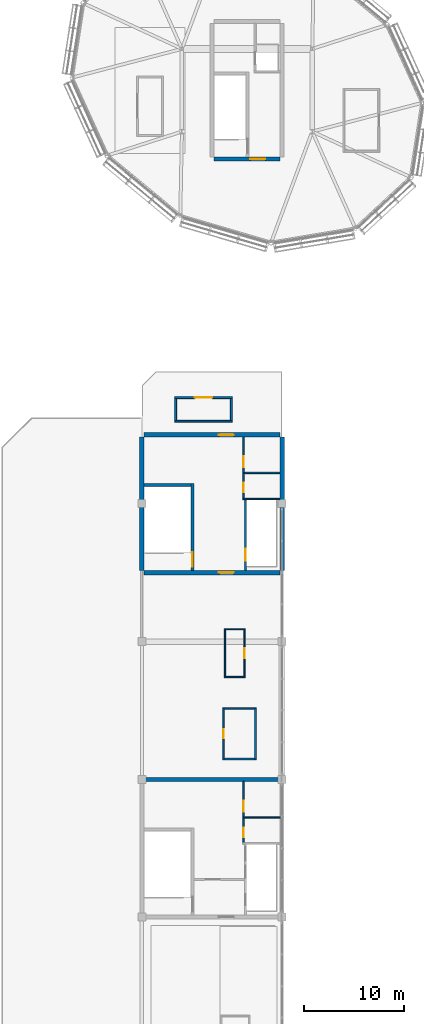
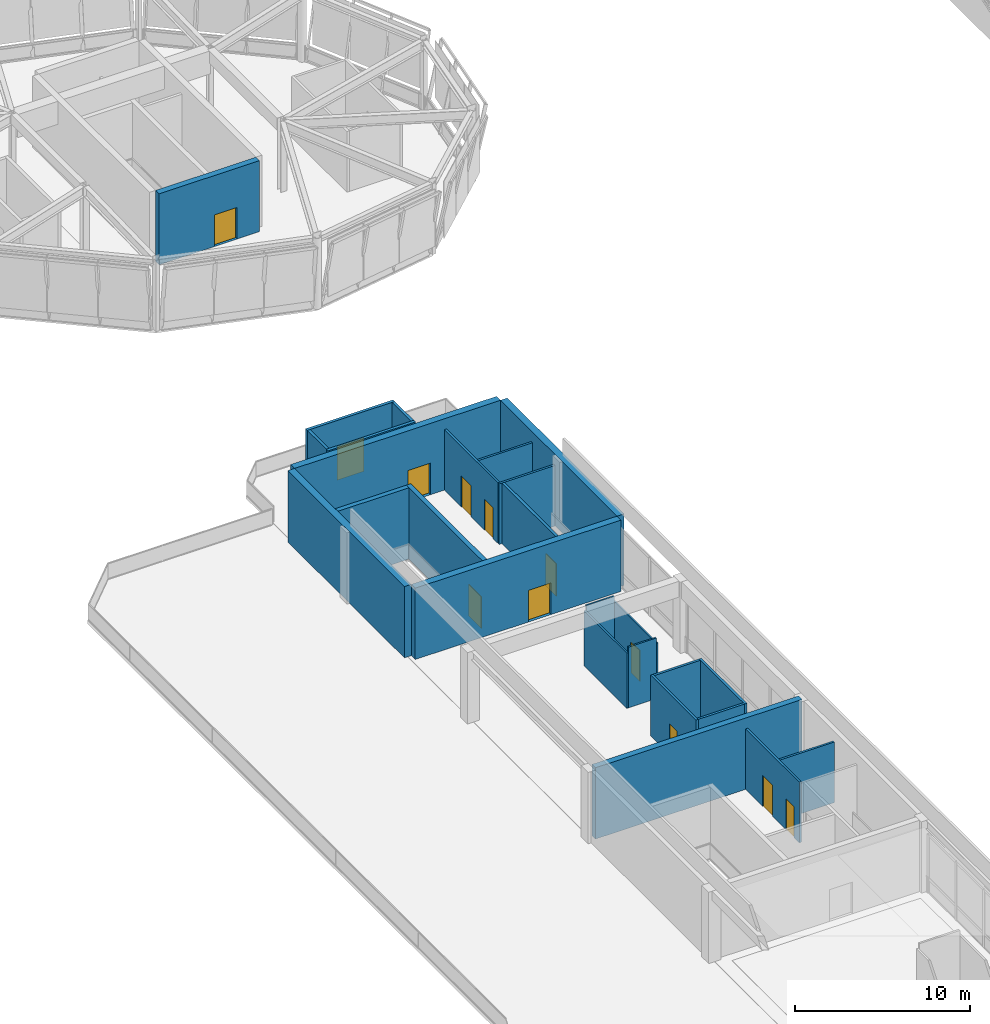
# One storey, part 101 of 113: 26 walls, 12 doors, 12 openings.
"""IFC4 building model written with IfcOpenShell, lengths in metres."""

import ifcopenshell
import ifcopenshell.guid

model = None  # the IFC model being written
_history = None  # IfcOwnerHistory: only IFC2X3 demands one
_inside = {}  # id of a spatial element -> (the spatial element, [elements in it])
_under = {}  # id of a project, library or spatial element -> (it, [spatial elements below it])
_declared = {}  # id of a project -> (the project, [libraries it declares])
_typed = {}  # id of a type object -> (the type object, [elements of that type])
_made_of = {}  # id of a material, layer set ... -> (it, [elements and type objects made of it])


def new_model(schema):
    """Start an empty IFC model of exactly this schema.

    Asked for "IFC4X3", IfcOpenShell would pick the latest addendum, in which some entities
    have other attributes; the version numbers below select the first issue.
    IFC2X3 requires an IfcOwnerHistory on every rooted entity: one is made here for all.
    """
    global model, _history
    if schema == "IFC4X3":
        model = ifcopenshell.file(schema_version=(4, 3, 0, 0))
    else:
        model = ifcopenshell.file(schema=schema)
    _inside.clear()
    _under.clear()
    _declared.clear()
    _typed.clear()
    _made_of.clear()
    _history = None
    if model.schema == "IFC2X3":
        org = make("IfcOrganization", Name="unknown")
        user = make(
            "IfcPersonAndOrganization",
            ThePerson=make("IfcPerson", FamilyName="unknown"),
            TheOrganization=org,
        )
        app = make(
            "IfcApplication",
            ApplicationDeveloper=org,
            Version="unknown",
            ApplicationFullName="unknown",
            ApplicationIdentifier="unknown",
        )
        _history = make(
            "IfcOwnerHistory",
            OwningUser=user,
            OwningApplication=app,
            ChangeAction="ADDED",
            CreationDate=0,
        )
    return model


def make(cls, **values):
    """One entity of the class cls with the attributes given. An attribute that is None is left unset."""
    return model.create_entity(
        cls, **{name: value for name, value in values.items() if value is not None}
    )


def rooted(cls, **values):
    """An entity with a GlobalId (a new one), such as an element, a storey or a relation."""
    return make(cls, GlobalId=ifcopenshell.guid.new(), OwnerHistory=_history, **values)


def si_unit(unit_type, name, prefix=None):
    """IfcSIUnit, for example si_unit("LENGTHUNIT", "METRE", prefix="MILLI")."""
    return make("IfcSIUnit", UnitType=unit_type, Prefix=prefix, Name=name)


def assignment(units):
    """IfcUnitAssignment: the units of a project."""
    return None if units is None else make("IfcUnitAssignment", Units=units)


def point(xyz):
    """IfcCartesianPoint."""
    return None if xyz is None else make("IfcCartesianPoint", Coordinates=xyz)


def direction(xyz):
    """IfcDirection."""
    return None if xyz is None else make("IfcDirection", DirectionRatios=xyz)


def frame(location, z_axis=None, x_axis=None):
    """IfcAxis2Placement3D, a coordinate frame: its origin and axes. An axis left out is left unset."""
    return make(
        "IfcAxis2Placement3D",
        Location=point(location),
        Axis=direction(z_axis),
        RefDirection=direction(x_axis),
    )


def frame_2d(location, x_axis=None):
    """IfcAxis2Placement2D, a coordinate frame in the plane: its origin and x axis."""
    return make(
        "IfcAxis2Placement2D", Location=point(location), RefDirection=direction(x_axis)
    )


def origin():
    """The frame at (0, 0, 0) with its axes left unset."""
    return frame((0.0, 0.0, 0.0))


def place(relative_to, where):
    """IfcLocalPlacement: puts the frame where relative to a parent placement (None: the world)."""
    return make(
        "IfcLocalPlacement", PlacementRelTo=relative_to, RelativePlacement=where
    )


def context(
    kind, dimensions, precision=None, world=None, true_north=None, identifier=None
):
    """IfcGeometricRepresentationContext, for example the 3D "Model" context."""
    return make(
        "IfcGeometricRepresentationContext",
        ContextIdentifier=identifier,
        ContextType=kind,
        CoordinateSpaceDimension=dimensions,
        Precision=precision,
        WorldCoordinateSystem=world,
        TrueNorth=true_north,
    )


def subcontext(parent, identifier, kind, view, scale=None):
    """IfcGeometricRepresentationSubContext, for example "Body" below "Model"."""
    return make(
        "IfcGeometricRepresentationSubContext",
        ContextIdentifier=identifier,
        ContextType=kind,
        ParentContext=parent,
        TargetScale=scale,
        TargetView=view,
    )


def project(units=None, contexts=None):
    """IfcProject with its units and contexts."""
    return rooted(
        "IfcProject",
        Name="project",
        RepresentationContexts=contexts,
        UnitsInContext=assignment(units),
    )


def spatial(cls, under=None, at=None, **own):
    """A site, building, storey or space (cls), placed at a placement, below another one or the project."""
    s = rooted(cls, ObjectPlacement=at, **own)
    if under is not None:
        _under.setdefault(under.id(), (under, []))[1].append(s)
    return s


def profile(cls, at=None, kind="AREA", **sizes):
    """A parametric profile (cls). Its sizes go by their IFC names, for example OverallWidth=200.0."""
    return make(cls, ProfileType=kind, Position=at, **sizes)


def rectangle(**sizes):
    """IfcRectangleProfileDef."""
    return profile("IfcRectangleProfileDef", **sizes)


def extrude(swept, where, along, depth):
    """IfcExtrudedAreaSolid: the profile swept, set in the frame where, extruded along a direction by depth."""
    return make(
        "IfcExtrudedAreaSolid",
        SweptArea=swept,
        Position=where,
        ExtrudedDirection=direction(along),
        Depth=depth,
    )


def shape(context_of_items, identifier, shape_type, items):
    """IfcShapeRepresentation: the items that make up one representation, for example the "Body"."""
    return make(
        "IfcShapeRepresentation",
        ContextOfItems=context_of_items,
        RepresentationIdentifier=identifier,
        RepresentationType=shape_type,
        Items=items,
    )


def material(Name=None, Category=None):
    """IfcMaterial."""
    return make("IfcMaterial", Name=Name, Category=Category)


def layer(
    of_material, thickness, ventilated=None, Name=None, Category=None, Priority=None
):
    """IfcMaterialLayer: one layer of a wall or slab, of a material (None: an air gap)."""
    return make(
        "IfcMaterialLayer",
        Material=of_material,
        LayerThickness=thickness,
        IsVentilated=ventilated,
        Name=Name,
        Category=Category,
        Priority=Priority,
    )


def layer_set(layers, Name=None):
    """IfcMaterialLayerSet."""
    return make("IfcMaterialLayerSet", MaterialLayers=layers, LayerSetName=Name)


def made_of(thing, what):
    """Note that an element or type object is made of a material, layer set ...; save() writes the relation."""
    if what is not None:
        _made_of.setdefault(what.id(), (what, []))[1].append(thing)
    return thing


def type_object(cls, material=None, **own):
    """A type object (cls), such as IfcWallType, which elements share."""
    return made_of(rooted(cls, **own), material)


def element(
    cls,
    number,
    at=None,
    inside=None,
    cuts=None,
    type_object=None,
    material=None,
    context=None,
    identifier="Body",
    shape_type=None,
    held_by="IfcProductDefinitionShape",
    body=None,
    shapes=None,
    **own,
):
    """One element of the class cls, such as IfcWall. Its Tag is "e" and its number.

    at: its placement. inside: the storey or other place that contains it. cuts: it is an
    opening in that element (IfcRelVoidsElement). A single representation is given by context,
    identifier, shape_type and body (its items); several are given by shapes. held_by: the class
    of the entity that holds the representations. save() writes the other relations.
    """
    e = rooted(cls, Tag="e%d" % number, ObjectPlacement=at, **own)
    if body is not None:
        shapes = [shape(context, identifier, shape_type, body)]
    if shapes is not None:
        e.Representation = make(held_by, Representations=shapes)
    if inside is not None:
        _inside.setdefault(inside.id(), (inside, []))[1].append(e)
    if cuts is not None:
        rooted(
            "IfcRelVoidsElement", RelatingBuildingElement=cuts, RelatedOpeningElement=e
        )
    if type_object is not None:
        _typed.setdefault(type_object.id(), (type_object, []))[1].append(e)
    return made_of(e, material)


def fill(opening, filler):
    """IfcRelFillsElement: the door or window that sits in an opening."""
    return rooted(
        "IfcRelFillsElement",
        RelatingOpeningElement=opening,
        RelatedBuildingElement=filler,
    )


def aggregate(whole, parts):
    """IfcRelAggregates: a whole, such as a stair, and the parts it consists of."""
    return rooted("IfcRelAggregates", RelatingObject=whole, RelatedObjects=parts)


def save(model, path):
    """Write the relations noted so far, then the file.

    IfcRelAggregates (storeys below a building ...), IfcRelContainedInSpatialStructure (elements
    in a storey), IfcRelDefinesByType, IfcRelAssociatesMaterial and IfcRelDeclares: one each for
    every whole, place, type object, material and project.
    """
    for whole, parts in _under.values():
        aggregate(whole, parts)
    for where, things in _inside.values():
        rooted(
            "IfcRelContainedInSpatialStructure",
            RelatedElements=things,
            RelatingStructure=where,
        )
    for kind, things in _typed.values():
        rooted("IfcRelDefinesByType", RelatedObjects=things, RelatingType=kind)
    for what, things in _made_of.values():
        rooted("IfcRelAssociatesMaterial", RelatedObjects=things, RelatingMaterial=what)
    for by, libraries in _declared.values():
        rooted("IfcRelDeclares", RelatingContext=by, RelatedDefinitions=libraries)
    model.write(path)


model = new_model("IFC4")

# Units and contexts
model_context = context("Model", 3, precision=1e-05, world=origin(), true_north=direction((0.0, 1.0)))
body_context = subcontext(model_context, "Body", "Model", "MODEL_VIEW")
ifc_project = project(units=[si_unit("LENGTHUNIT", "METRE"), si_unit("AREAUNIT", "SQUARE_METRE"), si_unit("VOLUMEUNIT", "CUBIC_METRE"), si_unit("PLANEANGLEUNIT", "RADIAN"), si_unit("MASSUNIT", "GRAM", prefix="KILO")], contexts=[model_context])

# Site, building, storey
site_placement = place(None, origin())
site = spatial("IfcSite", under=ifc_project, at=site_placement, CompositionType="ELEMENT")
building_placement = place(site_placement, origin())
building = spatial("IfcBuilding", under=site, at=building_placement, Name="Linyun Crest Stadium", CompositionType="ELEMENT")
storey_placement = place(building_placement, frame((0.0, 0.0, 26.39990234375)))
storey = spatial("IfcBuildingStorey", under=building, at=storey_placement, Name="L06", CompositionType="ELEMENT", Elevation=26.39990234375)

# Wall
ifc_material_1 = material(Name="Concrete C50", Category="concrete")
ifc_layer_1 = layer(ifc_material_1, 0.39990234375)
ifc_layer_set_1 = layer_set([ifc_layer_1], Name="Concrete C50")
wall_type_1 = type_object("IfcWallType", Name="CW02", PredefinedType="SHEAR", material=ifc_layer_set_1)
wall_1_placement = place(storey_placement, frame((-83.800048828125, 15.875, 0.0), z_axis=(0.0, 0.0, 1.0), x_axis=(1.0, 0.0, 0.0)))
element("IfcWall", 1, at=wall_1_placement, inside=storey, type_object=wall_type_1, Name="Core shear wall CW02 CORE-W2 L06.4", PredefinedType="SHEAR", context=body_context, shape_type="SweptSolid", body=[
    extrude(rectangle(XDim=13.60009765625, YDim=0.39990234375, at=frame_2d((6.800048828125, 0.0))), origin(), (0.0, 0.0, 1.0), 4.965087890625),
])

# Wall, opening, door
wall_2_placement = place(storey_placement, frame((-76.800048828125, 77.75, 0.0), z_axis=(0.0, 0.0, 1.0), x_axis=(1.0, 0.0, 0.0)))
wall_2 = element("IfcWall", 2, at=wall_2_placement, inside=storey, type_object=wall_type_1, Name="Core shear wall CW02 CORE-PNW L06.3", PredefinedType="SHEAR", context=body_context, shape_type="SweptSolid", body=[
    extrude(rectangle(XDim=6.60009765625, YDim=0.39990234375, at=frame_2d((3.300048828125, 0.0))), origin(), (0.0, 0.0, 1.0), 4.945068359375),
])
opening_1_placement = place(wall_2_placement, frame((3.6298828125, 0.0, 0.0)))
opening_1 = element("IfcOpeningElement", 3, at=opening_1_placement, cuts=wall_2, Name="Opening D-L06-384", PredefinedType="OPENING", context=body_context, shape_type="SweptSolid", body=[
    extrude(rectangle(XDim=1.5, YDim=2.199951171875, at=frame_2d((0.75, 1.10009765625))), frame((0.0, 0.2099609375, 0.0), z_axis=(0.0, -1.0, 0.0), x_axis=(1.0, 0.0, 0.0)), (0.0, 0.0, 1.0), 0.419921875),
])
ifc_material_2 = material(Name="Galvanized steel Class A fire door", Category="steel")
ifc_layer_2 = layer(ifc_material_2, 0.054931640625)
ifc_layer_set_2 = layer_set([ifc_layer_2], Name="Galvanized steel Class A fire door")
door_type_1 = type_object("IfcDoorType", Name="FD01", OperationType="NOTDEFINED", PredefinedType="DOOR", material=ifc_layer_set_2)
door_1_placement = place(opening_1_placement, origin())
door_1 = element("IfcDoor", 4, at=door_1_placement, inside=storey, type_object=door_type_1, Name="Door D-L06-384", OperationType="SINGLE_SWING_RIGHT", OverallHeight=2.199951171875, OverallWidth=1.5, PredefinedType="DOOR", context=body_context, shape_type="SweptSolid", body=[
    extrude(rectangle(XDim=1.5, YDim=2.199951171875, at=frame_2d((0.75, 1.10009765625))), frame((0.0, 0.02490234375, 0.0), z_axis=(0.0, -1.0, 0.0), x_axis=(1.0, 0.0, 0.0)), (0.0, 0.0, 1.0), 0.050048828125),
])
fill(opening_1, door_1)

# Walls
ifc_material_3 = material(Name="Concrete C50", Category="concrete")
ifc_layer_3 = layer(ifc_material_3, 0.449951171875)
ifc_layer_set_3 = layer_set([ifc_layer_3], Name="Concrete C50")
wall_type_2 = type_object("IfcWallType", Name="CW03", PredefinedType="SHEAR", material=ifc_layer_set_3)
for number, where, z_axis, x_axis, name in (
    (5, (-84.0, 36.72509765625, 0.0), (0.0, 0.0, 1.0), (0.0, 1.0, 0.0), "Core shear wall CW03 CORE-W3 L06.1"),
    (6, (-70.0, 36.72509765625, 0.0), (0.0, 0.0, 1.0), (0.0, 1.0, 0.0), "Core shear wall CW03 CORE-W3 L06.2"),
):
    element("IfcWall", number, at=place(storey_placement, frame(where, z_axis=z_axis, x_axis=x_axis)), inside=storey, type_object=wall_type_2, Name=name, PredefinedType="SHEAR", context=body_context, shape_type="SweptSolid", body=[
        extrude(rectangle(XDim=13.2998046875, YDim=0.449951171875, at=frame_2d((6.64990234375, 0.0))), origin(), (0.0, 0.0, 1.0), 4.965087890625),
    ])

# Wall, opening, door
wall_3_placement = place(storey_placement, frame((-83.77490234375, 36.5, 0.0), z_axis=(0.0, 0.0, 1.0), x_axis=(1.0, 0.0, 0.0)))
wall_3 = element("IfcWall", 7, at=wall_3_placement, inside=storey, type_object=wall_type_2, Name="Core shear wall CW03 CORE-W3 L06.3", PredefinedType="SHEAR", context=body_context, shape_type="SweptSolid", body=[
    extrude(rectangle(XDim=13.5498046875, YDim=0.449951171875, at=frame_2d((6.77490234375, 0.0))), origin(), (0.0, 0.0, 1.0), 4.965087890625),
])
opening_2_placement = place(wall_3_placement, frame((7.452880859375, 0.0, 0.0)))
opening_2 = element("IfcOpeningElement", 8, at=opening_2_placement, cuts=wall_3, Name="Opening D-L06-142", PredefinedType="OPENING", context=body_context, shape_type="SweptSolid", body=[
    extrude(rectangle(XDim=1.5, YDim=2.199951171875, at=frame_2d((0.75, 1.10009765625))), frame((0.0, 0.23486328125, 0.0), z_axis=(0.0, -1.0, 0.0), x_axis=(1.0, 0.0, 0.0)), (0.0, 0.0, 1.0), 0.469970703125),
])
door_2_placement = place(opening_2_placement, origin())
door_2 = element("IfcDoor", 9, at=door_2_placement, inside=storey, type_object=door_type_1, Name="Door D-L06-142", OperationType="SINGLE_SWING_RIGHT", OverallHeight=2.199951171875, OverallWidth=1.5, PredefinedType="DOOR", context=body_context, shape_type="SweptSolid", body=[
    extrude(rectangle(XDim=1.5, YDim=2.199951171875, at=frame_2d((0.75, 1.10009765625))), frame((0.0, 0.02490234375, 0.0), z_axis=(0.0, -1.0, 0.0), x_axis=(1.0, 0.0, 0.0)), (0.0, 0.0, 1.0), 0.050048828125),
])
fill(opening_2, door_2)

wall_4_placement = place(storey_placement, frame((-83.77490234375, 50.25, 0.0), z_axis=(0.0, 0.0, 1.0), x_axis=(1.0, 0.0, 0.0)))
wall_4 = element("IfcWall", 10, at=wall_4_placement, inside=storey, type_object=wall_type_2, Name="Core shear wall CW03 CORE-W3 L06.4", PredefinedType="SHEAR", context=body_context, shape_type="SweptSolid", body=[
    extrude(rectangle(XDim=13.5498046875, YDim=0.449951171875, at=frame_2d((6.77490234375, 0.0))), origin(), (0.0, 0.0, 1.0), 4.965087890625),
])
opening_3_placement = place(wall_4_placement, frame((7.452880859375, 0.0, 0.0)))
opening_3 = element("IfcOpeningElement", 11, at=opening_3_placement, cuts=wall_4, Name="Opening D-L06-143", PredefinedType="OPENING", context=body_context, shape_type="SweptSolid", body=[
    extrude(rectangle(XDim=1.5, YDim=2.199951171875, at=frame_2d((0.75, 1.10009765625))), frame((0.0, 0.23486328125, 0.0), z_axis=(0.0, -1.0, 0.0), x_axis=(1.0, 0.0, 0.0)), (0.0, 0.0, 1.0), 0.469970703125),
])
door_3_placement = place(opening_3_placement, origin())
door_3 = element("IfcDoor", 12, at=door_3_placement, inside=storey, type_object=door_type_1, Name="Door D-L06-143", OperationType="SINGLE_SWING_LEFT", OverallHeight=2.199951171875, OverallWidth=1.5, PredefinedType="DOOR", context=body_context, shape_type="SweptSolid", body=[
    extrude(rectangle(XDim=1.5, YDim=2.199951171875, at=frame_2d((0.75, 1.10009765625))), frame((0.0, 0.02490234375, 0.0), z_axis=(0.0, -1.0, 0.0), x_axis=(1.0, 0.0, 0.0)), (0.0, 0.0, 1.0), 0.050048828125),
])
fill(opening_3, door_3)

ifc_material_4 = material(Name="Autoclaved aerated concrete block fire partition", Category="concrete")
ifc_layer_4 = layer(ifc_material_4, 0.179931640625)
ifc_layer_set_4 = layer_set([ifc_layer_4], Name="Autoclaved aerated concrete block fire partition")
wall_type_3 = type_object("IfcWallType", Name="PW12", PredefinedType="PARTITIONING", material=ifc_layer_set_4)
wall_5_placement = place(storey_placement, frame((-73.64990234375, 36.72509765625, 0.0), z_axis=(0.0, 0.0, 1.0), x_axis=(0.0, 1.0, 0.0)))
wall_5 = element("IfcWall", 13, at=wall_5_placement, inside=storey, type_object=wall_type_3, Name="Partition PW12 L06 55", PredefinedType="PARTITIONING", context=body_context, shape_type="SweptSolid", body=[
    extrude(rectangle(XDim=7.054931640625, YDim=0.179931640625, at=frame_2d((3.52734375, 0.0))), origin(), (0.0, 0.0, 1.0), 4.22021484375),
])
opening_4_placement = place(wall_5_placement, frame((0.97509765625, 0.0, 0.0)))
opening_4 = element("IfcOpeningElement", 14, at=opening_4_placement, cuts=wall_5, Name="Opening LD048", PredefinedType="OPENING", context=body_context, shape_type="SweptSolid", body=[
    extrude(rectangle(XDim=1.199951171875, YDim=2.25, at=frame_2d((0.60009765625, 1.125))), frame((0.0, 0.099853515625, 0.0), z_axis=(0.0, -1.0, 0.0), x_axis=(1.0, 0.0, 0.0)), (0.0, 0.0, 1.0), 0.199951171875),
])
ifc_material_5 = material(Name="Brushed stainless sliding lift door")
ifc_layer_5 = layer(ifc_material_5, 0.050048828125)
ifc_layer_set_5 = layer_set([ifc_layer_5], Name="Brushed stainless sliding lift door")
door_type_2 = type_object("IfcDoorType", Name="LD02", OperationType="NOTDEFINED", PredefinedType="DOOR", material=ifc_layer_set_5)
door_4_placement = place(opening_4_placement, origin())
door_4 = element("IfcDoor", 15, at=door_4_placement, inside=storey, type_object=door_type_2, Name="Lift landing door LD048", OperationType="DOUBLE_DOOR_SLIDING", OverallHeight=2.25, OverallWidth=1.199951171875, PredefinedType="DOOR", context=body_context, shape_type="SweptSolid", body=[
    extrude(rectangle(XDim=1.199951171875, YDim=2.25, at=frame_2d((0.60009765625, 1.125))), frame((0.0, 0.02490234375, 0.0), z_axis=(0.0, -1.0, 0.0), x_axis=(1.0, 0.0, 0.0)), (0.0, 0.0, 1.0), 0.050048828125),
])
fill(opening_4, door_4)

# Wall, openings, doors
ifc_material_6 = material(Name="Moisture-resistant ceramic-tiled wet-room wall")
ifc_layer_6 = layer(ifc_material_6, 0.139892578125)
ifc_layer_set_6 = layer_set([ifc_layer_6], Name="Moisture-resistant ceramic-tiled wet-room wall")
wall_type_4 = type_object("IfcWallType", Name="PW15", PredefinedType="PARTITIONING", material=ifc_layer_set_6)
wall_6_placement = place(storey_placement, frame((-73.85009765625, 9.544921875, 0.0), z_axis=(0.0, 0.0, 1.0), x_axis=(0.0, 1.0, 0.0)))
wall_6 = element("IfcWall", 16, at=wall_6_placement, inside=storey, type_object=wall_type_4, Name="Partition PW15 L06 42", PredefinedType="PARTITIONING", context=body_context, shape_type="SweptSolid", body=[
    extrude(rectangle(XDim=6.130126953125, YDim=0.139892578125, at=frame_2d((3.06494140625, 0.0))), origin(), (0.0, 0.0, 1.0), 4.22021484375),
])
opening_5_placement = place(wall_6_placement, frame((0.580078125, 0.0, 0.0)))
opening_5 = element("IfcOpeningElement", 17, at=opening_5_placement, cuts=wall_6, Name="Opening D-L06-104", PredefinedType="OPENING", context=body_context, shape_type="SweptSolid", body=[
    extrude(rectangle(XDim=0.949951171875, YDim=2.14990234375, at=frame_2d((0.47509765625, 1.074951171875))), frame((0.0, 0.079833984375, 0.0), z_axis=(0.0, -1.0, 0.0), x_axis=(1.0, 0.0, 0.0)), (0.0, 0.0, 1.0), 0.159912109375),
])
opening_6_placement = place(wall_6_placement, frame((3.080078125, 0.0, 0.0)))
opening_6 = element("IfcOpeningElement", 18, at=opening_6_placement, cuts=wall_6, Name="Opening D-L06-105", PredefinedType="OPENING", context=body_context, shape_type="SweptSolid", body=[
    extrude(rectangle(XDim=1.10009765625, YDim=2.14990234375, at=frame_2d((0.550048828125, 1.074951171875))), frame((0.0, 0.079833984375, 0.0), z_axis=(0.0, -1.0, 0.0), x_axis=(1.0, 0.0, 0.0)), (0.0, 0.0, 1.0), 0.159912109375),
])
ifc_material_7 = material(Name="Moisture-resistant laminate leaf")
ifc_layer_7 = layer(ifc_material_7, 0.044921875)
ifc_layer_set_7 = layer_set([ifc_layer_7], Name="Moisture-resistant laminate leaf")
door_type_3 = type_object("IfcDoorType", Name="ID02", OperationType="NOTDEFINED", PredefinedType="DOOR", material=ifc_layer_set_7)
door_5_placement = place(opening_5_placement, origin())
door_5 = element("IfcDoor", 19, at=door_5_placement, inside=storey, type_object=door_type_3, Name="Door D-L06-104", OperationType="SINGLE_SWING_RIGHT", OverallHeight=2.14990234375, OverallWidth=0.949951171875, PredefinedType="DOOR", context=body_context, shape_type="SweptSolid", body=[
    extrude(rectangle(XDim=0.949951171875, YDim=2.14990234375, at=frame_2d((0.47509765625, 1.074951171875))), frame((0.0, 0.02490234375, 0.0), z_axis=(0.0, -1.0, 0.0), x_axis=(1.0, 0.0, 0.0)), (0.0, 0.0, 1.0), 0.050048828125),
])
fill(opening_5, door_5)
ifc_material_8 = material(Name="Moisture-resistant laminate leaf")
ifc_layer_8 = layer(ifc_material_8, 0.044921875)
ifc_layer_set_8 = layer_set([ifc_layer_8], Name="Moisture-resistant laminate leaf")
door_type_4 = type_object("IfcDoorType", Name="ID03", OperationType="NOTDEFINED", PredefinedType="DOOR", material=ifc_layer_set_8)
door_6_placement = place(opening_6_placement, origin())
door_6 = element("IfcDoor", 20, at=door_6_placement, inside=storey, type_object=door_type_4, Name="Door D-L06-105", OperationType="SINGLE_SWING_LEFT", OverallHeight=2.14990234375, OverallWidth=1.10009765625, PredefinedType="DOOR", context=body_context, shape_type="SweptSolid", body=[
    extrude(rectangle(XDim=1.10009765625, YDim=2.14990234375, at=frame_2d((0.550048828125, 1.074951171875))), frame((0.0, 0.02490234375, 0.0), z_axis=(0.0, -1.0, 0.0), x_axis=(1.0, 0.0, 0.0)), (0.0, 0.0, 1.0), 0.050048828125),
])
fill(opening_6, door_6)

wall_7_placement = place(storey_placement, frame((-73.85009765625, 43.919921875, 0.0), z_axis=(0.0, 0.0, 1.0), x_axis=(0.0, 1.0, 0.0)))
wall_7 = element("IfcWall", 21, at=wall_7_placement, inside=storey, type_object=wall_type_4, Name="Partition PW15 L06 56", PredefinedType="PARTITIONING", context=body_context, shape_type="SweptSolid", body=[
    extrude(rectangle(XDim=6.10498046875, YDim=0.139892578125, at=frame_2d((3.052490234375, 0.0))), origin(), (0.0, 0.0, 1.0), 4.22021484375),
])
opening_7_placement = place(wall_7_placement, frame((0.580078125, 0.0, 0.0)))
opening_7 = element("IfcOpeningElement", 22, at=opening_7_placement, cuts=wall_7, Name="Opening D-L06-146", PredefinedType="OPENING", context=body_context, shape_type="SweptSolid", body=[
    extrude(rectangle(XDim=0.949951171875, YDim=2.14990234375, at=frame_2d((0.47509765625, 1.074951171875))), frame((0.0, 0.079833984375, 0.0), z_axis=(0.0, -1.0, 0.0), x_axis=(1.0, 0.0, 0.0)), (0.0, 0.0, 1.0), 0.159912109375),
])
opening_8_placement = place(wall_7_placement, frame((3.080078125, 0.0, 0.0)))
opening_8 = element("IfcOpeningElement", 23, at=opening_8_placement, cuts=wall_7, Name="Opening D-L06-147", PredefinedType="OPENING", context=body_context, shape_type="SweptSolid", body=[
    extrude(rectangle(XDim=1.10009765625, YDim=2.14990234375, at=frame_2d((0.550048828125, 1.074951171875))), frame((0.0, 0.079833984375, 0.0), z_axis=(0.0, -1.0, 0.0), x_axis=(1.0, 0.0, 0.0)), (0.0, 0.0, 1.0), 0.159912109375),
])
door_7_placement = place(opening_7_placement, origin())
door_7 = element("IfcDoor", 24, at=door_7_placement, inside=storey, type_object=door_type_3, Name="Door D-L06-146", OperationType="SINGLE_SWING_RIGHT", OverallHeight=2.14990234375, OverallWidth=0.949951171875, PredefinedType="DOOR", context=body_context, shape_type="SweptSolid", body=[
    extrude(rectangle(XDim=0.949951171875, YDim=2.14990234375, at=frame_2d((0.47509765625, 1.074951171875))), frame((0.0, 0.02490234375, 0.0), z_axis=(0.0, -1.0, 0.0), x_axis=(1.0, 0.0, 0.0)), (0.0, 0.0, 1.0), 0.050048828125),
])
fill(opening_7, door_7)
door_8_placement = place(opening_8_placement, origin())
door_8 = element("IfcDoor", 25, at=door_8_placement, inside=storey, type_object=door_type_4, Name="Door D-L06-147", OperationType="SINGLE_SWING_LEFT", OverallHeight=2.14990234375, OverallWidth=1.10009765625, PredefinedType="DOOR", context=body_context, shape_type="SweptSolid", body=[
    extrude(rectangle(XDim=1.10009765625, YDim=2.14990234375, at=frame_2d((0.550048828125, 1.074951171875))), frame((0.0, 0.02490234375, 0.0), z_axis=(0.0, -1.0, 0.0), x_axis=(1.0, 0.0, 0.0)), (0.0, 0.0, 1.0), 0.050048828125),
])
fill(opening_8, door_8)

# Walls
wall_8_placement = place(storey_placement, frame((-73.780029296875, 12.074951171875, 0.0), z_axis=(0.0, 0.0, 1.0), x_axis=(1.0, 0.0, 0.0)))
element("IfcWall", 26, at=wall_8_placement, inside=storey, type_object=wall_type_4, Name="Enclosure partition PW15 L06 28", PredefinedType="PARTITIONING", context=body_context, shape_type="SweptSolid", body=[
    extrude(rectangle(XDim=3.580078125, YDim=0.139892578125, at=frame_2d((1.7900390625, 0.0))), origin(), (0.0, 0.0, 1.0), 4.22021484375),
])
wall_9_placement = place(storey_placement, frame((-73.919921875, 43.85009765625, 0.0), z_axis=(0.0, 0.0, 1.0), x_axis=(1.0, 0.0, 0.0)))
element("IfcWall", 27, at=wall_9_placement, inside=storey, type_object=wall_type_4, Name="Enclosure partition PW15 L06 41", PredefinedType="PARTITIONING", context=body_context, shape_type="SweptSolid", body=[
    extrude(rectangle(XDim=3.69482421875, YDim=0.139892578125, at=frame_2d((1.847412109375, 0.0))), origin(), (0.0, 0.0, 1.0), 4.22021484375),
])
wall_10_placement = place(storey_placement, frame((-73.780029296875, 46.449951171875, 0.0), z_axis=(0.0, 0.0, 1.0), x_axis=(1.0, 0.0, 0.0)))
element("IfcWall", 28, at=wall_10_placement, inside=storey, type_object=wall_type_4, Name="Enclosure partition PW15 L06 42", PredefinedType="PARTITIONING", context=body_context, shape_type="SweptSolid", body=[
    extrude(rectangle(XDim=3.554931640625, YDim=0.139892578125, at=frame_2d((1.77734375, 0.0))), origin(), (0.0, 0.0, 1.0), 4.22021484375),
])

# Wall, opening, door
ifc_material_9 = material(Name="Lightweight demountable office partition")
ifc_layer_9 = layer(ifc_material_9, 0.110107421875)
ifc_layer_set_9 = layer_set([ifc_layer_9], Name="Lightweight demountable office partition")
wall_type_5 = type_object("IfcWallType", Name="PW18", PredefinedType="PARTITIONING", material=ifc_layer_set_9)
wall_11_placement = place(storey_placement, frame((-73.760986328125, 30.925048828125, 0.0), z_axis=(0.0, 0.0, 1.0), x_axis=(0.0, -1.0, 0.0)))
wall_11 = element("IfcWall", 29, at=wall_11_placement, inside=storey, type_object=wall_type_5, Name="Partition PW18 L06 249", PredefinedType="PARTITIONING", context=body_context, shape_type="SweptSolid", body=[
    extrude(rectangle(XDim=4.89013671875, YDim=0.110107421875, at=frame_2d((2.445068359375, 0.0))), origin(), (0.0, 0.0, 1.0), 3.840087890625),
])
opening_9_placement = place(wall_11_placement, frame((1.945068359375, 0.0, 0.0)))
opening_9 = element("IfcOpeningElement", 30, at=opening_9_placement, cuts=wall_11, Name="Opening D-L06-512", PredefinedType="OPENING", context=body_context, shape_type="SweptSolid", body=[
    extrude(rectangle(XDim=1.0, YDim=2.14990234375, at=frame_2d((0.5, 1.074951171875))), frame((0.0, 0.06494140625, 0.0), z_axis=(0.0, -1.0, 0.0), x_axis=(1.0, 0.0, 0.0)), (0.0, 0.0, 1.0), 0.130126953125),
])
ifc_material_10 = material(Name="Hardwood veneer acoustic leaf", Category="wood")
ifc_layer_10 = layer(ifc_material_10, 0.044921875)
ifc_layer_set_10 = layer_set([ifc_layer_10], Name="Hardwood veneer acoustic leaf")
door_type_5 = type_object("IfcDoorType", Name="ID01", OperationType="NOTDEFINED", PredefinedType="DOOR", material=ifc_layer_set_10)
door_9_placement = place(opening_9_placement, origin())
door_9 = element("IfcDoor", 31, at=door_9_placement, inside=storey, type_object=door_type_5, Name="Door D-L06-512", OperationType="SINGLE_SWING_RIGHT", OverallHeight=2.14990234375, OverallWidth=1.0, PredefinedType="DOOR", context=body_context, shape_type="SweptSolid", body=[
    extrude(rectangle(XDim=1.0, YDim=2.14990234375, at=frame_2d((0.5, 1.074951171875))), frame((0.0, 0.02490234375, 0.0), z_axis=(0.0, -1.0, 0.0), x_axis=(1.0, 0.0, 0.0)), (0.0, 0.0, 1.0), 0.050048828125),
])
fill(opening_9, door_9)

# Walls
wall_12_placement = place(storey_placement, frame((-75.700927734375, 26.034912109375, 0.0), z_axis=(0.0, 0.0, 1.0), x_axis=(0.0, 1.0, 0.0)))
element("IfcWall", 32, at=wall_12_placement, inside=storey, type_object=wall_type_5, Name="Enclosure partition PW18 L06 463", PredefinedType="PARTITIONING", context=body_context, shape_type="SweptSolid", body=[
    extrude(rectangle(XDim=4.89013671875, YDim=0.110107421875, at=frame_2d((2.445068359375, 0.0))), origin(), (0.0, 0.0, 1.0), 3.840087890625),
])
for number, where, z_axis, x_axis, name in (
    (33, (-75.64599609375, 26.090087890625, 0.0), (0.0, 0.0, 1.0), (1.0, 0.0, 0.0), "Enclosure partition PW18 L06 464"),
    (34, (-75.64599609375, 30.8701171875, 0.0), (0.0, 0.0, 1.0), (1.0, 0.0, 0.0), "Enclosure partition PW18 L06 465"),
):
    element("IfcWall", number, at=place(storey_placement, frame(where, z_axis=z_axis, x_axis=x_axis)), inside=storey, type_object=wall_type_5, Name=name, PredefinedType="PARTITIONING", context=body_context, shape_type="SweptSolid", body=[
        extrude(rectangle(XDim=1.830078125, YDim=0.110107421875, at=frame_2d((0.9150390625, 0.0))), origin(), (0.0, 0.0, 1.0), 4.22021484375),
    ])

# Wall, opening, door
ifc_material_11 = material(Name="Medical and doping-control hygienic partition")
ifc_layer_11 = layer(ifc_material_11, 0.155029296875)
ifc_layer_set_11 = layer_set([ifc_layer_11], Name="Medical and doping-control hygienic partition")
wall_type_6 = type_object("IfcWallType", Name="PW23", PredefinedType="PARTITIONING", material=ifc_layer_set_11)
wall_13_placement = place(storey_placement, frame((-75.861083984375, 17.833984375, 0.0), z_axis=(0.0, 0.0, 1.0), x_axis=(0.0, 1.0, 0.0)))
wall_13 = element("IfcWall", 35, at=wall_13_placement, inside=storey, type_object=wall_type_6, Name="Partition PW23 L06 241", PredefinedType="PARTITIONING", context=body_context, shape_type="SweptSolid", body=[
    extrude(rectangle(XDim=5.179931640625, YDim=0.155029296875, at=frame_2d((2.58984375, 0.0))), origin(), (0.0, 0.0, 1.0), 4.22021484375),
])
opening_10_placement = place(wall_13_placement, frame((2.139892578125, 0.0, 0.0)))
opening_10 = element("IfcOpeningElement", 36, at=opening_10_placement, cuts=wall_13, Name="Opening D-L06-504", PredefinedType="OPENING", context=body_context, shape_type="SweptSolid", body=[
    extrude(rectangle(XDim=0.89990234375, YDim=2.14990234375, at=frame_2d((0.449951171875, 1.074951171875))), frame((0.0, 0.08740234375, 0.0), z_axis=(0.0, -1.0, 0.0), x_axis=(1.0, 0.0, 0.0)), (0.0, 0.0, 1.0), 0.175048828125),
])
ifc_material_12 = material(Name="Acoustic glazed booth door")
ifc_layer_12 = layer(ifc_material_12, 0.050048828125)
ifc_layer_set_12 = layer_set([ifc_layer_12], Name="Acoustic glazed booth door")
door_type_6 = type_object("IfcDoorType", Name="ID11", OperationType="NOTDEFINED", PredefinedType="DOOR", material=ifc_layer_set_12)
door_10_placement = place(opening_10_placement, origin())
door_10 = element("IfcDoor", 37, at=door_10_placement, inside=storey, type_object=door_type_6, Name="Door D-L06-504", OperationType="SINGLE_SWING_RIGHT", OverallHeight=2.14990234375, OverallWidth=0.89990234375, PredefinedType="DOOR", context=body_context, shape_type="SweptSolid", body=[
    extrude(rectangle(XDim=0.89990234375, YDim=2.14990234375, at=frame_2d((0.449951171875, 1.074951171875))), frame((0.0, 0.02490234375, 0.0), z_axis=(0.0, -1.0, 0.0), x_axis=(1.0, 0.0, 0.0)), (0.0, 0.0, 1.0), 0.050048828125),
])
fill(opening_10, door_10)

# Walls
wall_14_placement = place(storey_placement, frame((-72.660888671875, 17.833984375, 0.0), z_axis=(0.0, 0.0, 1.0), x_axis=(0.0, 1.0, 0.0)))
element("IfcWall", 38, at=wall_14_placement, inside=storey, type_object=wall_type_6, Name="Enclosure partition PW23 L06 439", PredefinedType="PARTITIONING", context=body_context, shape_type="SweptSolid", body=[
    extrude(rectangle(XDim=5.179931640625, YDim=0.155029296875, at=frame_2d((2.58984375, 0.0))), origin(), (0.0, 0.0, 1.0), 4.22021484375),
])
for number, where, z_axis, x_axis, name in (
    (39, (-75.782958984375, 17.912109375, 0.0), (0.0, 0.0, 1.0), (1.0, 0.0, 0.0), "Enclosure partition PW23 L06 440"),
    (40, (-75.782958984375, 22.93603515625, 0.0), (0.0, 0.0, 1.0), (1.0, 0.0, 0.0), "Enclosure partition PW23 L06 441"),
):
    element("IfcWall", number, at=place(storey_placement, frame(where, z_axis=z_axis, x_axis=x_axis)), inside=storey, type_object=wall_type_6, Name=name, PredefinedType="PARTITIONING", context=body_context, shape_type="SweptSolid", body=[
        extrude(rectangle(XDim=3.0439453125, YDim=0.155029296875, at=frame_2d((1.52197265625, 0.0))), origin(), (0.0, 0.0, 1.0), 4.22021484375),
    ])

# Wall, opening, door
ifc_material_13 = material(Name="Ticketing hall security partition")
ifc_layer_13 = layer(ifc_material_13, 0.18994140625)
ifc_layer_set_13 = layer_set([ifc_layer_13], Name="Ticketing hall security partition")
wall_type_7 = type_object("IfcWallType", Name="PW25", PredefinedType="PARTITIONING", material=ifc_layer_set_13)
wall_15_placement = place(storey_placement, frame((-80.72607421875, 53.952880859375, 0.0), z_axis=(0.0, 0.0, 1.0), x_axis=(1.0, 0.0, 0.0)))
wall_15 = element("IfcWall", 41, at=wall_15_placement, inside=storey, type_object=wall_type_7, Name="Partition PW25 L06 243", PredefinedType="PARTITIONING", context=body_context, shape_type="SweptSolid", body=[
    extrude(rectangle(XDim=5.760009765625, YDim=0.18994140625, at=frame_2d((2.8798828125, 0.0))), origin(), (0.0, 0.0, 1.0), 4.22021484375),
])
opening_11_placement = place(wall_15_placement, frame((2.0048828125, 0.0, 0.0)))
opening_11 = element("IfcOpeningElement", 42, at=opening_11_placement, cuts=wall_15, Name="Opening D-L06-506", PredefinedType="OPENING", context=body_context, shape_type="SweptSolid", body=[
    extrude(rectangle(XDim=1.75, YDim=2.35009765625, at=frame_2d((0.875, 1.175048828125))), frame((0.0, 0.10498046875, 0.0), z_axis=(0.0, -1.0, 0.0), x_axis=(1.0, 0.0, 0.0)), (0.0, 0.0, 1.0), 0.2099609375),
])
ifc_material_14 = material(Name="Art Nouveau brass-inlaid double door")
ifc_layer_14 = layer(ifc_material_14, 0.054931640625)
ifc_layer_set_14 = layer_set([ifc_layer_14], Name="Art Nouveau brass-inlaid double door")
door_type_7 = type_object("IfcDoorType", Name="ID13", OperationType="NOTDEFINED", PredefinedType="DOOR", material=ifc_layer_set_14)
door_11_placement = place(opening_11_placement, origin())
door_11 = element("IfcDoor", 43, at=door_11_placement, inside=storey, type_object=door_type_7, Name="Door D-L06-506", OperationType="DOUBLE_DOOR_SINGLE_SWING", OverallHeight=2.35009765625, OverallWidth=1.75, PredefinedType="DOOR", context=body_context, shape_type="SweptSolid", body=[
    extrude(rectangle(XDim=1.75, YDim=2.35009765625, at=frame_2d((0.875, 1.175048828125))), frame((0.0, 0.02490234375, 0.0), z_axis=(0.0, -1.0, 0.0), x_axis=(1.0, 0.0, 0.0)), (0.0, 0.0, 1.0), 0.050048828125),
])
fill(opening_11, door_11)

# Walls
wall_16_placement = place(storey_placement, frame((-80.72607421875, 51.60302734375, 0.0), z_axis=(0.0, 0.0, 1.0), x_axis=(1.0, 0.0, 0.0)))
element("IfcWall", 44, at=wall_16_placement, inside=storey, type_object=wall_type_7, Name="Enclosure partition PW25 L06 445", PredefinedType="PARTITIONING", context=body_context, shape_type="SweptSolid", body=[
    extrude(rectangle(XDim=5.760009765625, YDim=0.18994140625, at=frame_2d((2.8798828125, 0.0))), origin(), (0.0, 0.0, 1.0), 4.22021484375),
])
for number, where, z_axis, x_axis, name in (
    (45, (-80.631103515625, 51.697998046875, 0.0), (0.0, 0.0, 1.0), (0.0, 1.0, 0.0), "Enclosure partition PW25 L06 446"),
    (46, (-75.06103515625, 51.697998046875, 0.0), (0.0, 0.0, 1.0), (0.0, 1.0, 0.0), "Enclosure partition PW25 L06 447"),
):
    element("IfcWall", number, at=place(storey_placement, frame(where, z_axis=z_axis, x_axis=x_axis)), inside=storey, type_object=wall_type_7, Name=name, PredefinedType="PARTITIONING", context=body_context, shape_type="SweptSolid", body=[
        extrude(rectangle(XDim=2.159912109375, YDim=0.18994140625, at=frame_2d((1.080078125, 0.0))), origin(), (0.0, 0.0, 1.0), 4.22021484375),
    ])

# Wall, opening, door
ifc_material_15 = material(Name="Concrete C50", Category="concrete")
ifc_layer_15 = layer(ifc_material_15, 0.300048828125)
ifc_layer_set_15 = layer_set([ifc_layer_15], Name="Concrete C50")
wall_type_8 = type_object("IfcWallType", Name="SW01", PredefinedType="SHEAR", material=ifc_layer_set_15)
wall_17_placement = place(storey_placement, frame((-78.949951171875, 36.72509765625, 0.0), z_axis=(0.0, 0.0, 1.0), x_axis=(0.0, 1.0, 0.0)))
wall_17 = element("IfcWall", 47, at=wall_17_placement, inside=storey, type_object=wall_type_8, Name="Core stair east bearing wall SW01 3 L06", PredefinedType="SHEAR", context=body_context, shape_type="SweptSolid", body=[
    extrude(rectangle(XDim=8.6748046875, YDim=0.300048828125, at=frame_2d((4.33740234375, 0.0))), origin(), (0.0, 0.0, 1.0), 4.965087890625),
])
opening_12_placement = place(wall_17_placement, frame((0.344970703125, 0.0, 0.0)))
opening_12 = element("IfcOpeningElement", 48, at=opening_12_placement, cuts=wall_17, Name="Opening D-L06-144", PredefinedType="OPENING", context=body_context, shape_type="SweptSolid", body=[
    extrude(rectangle(XDim=1.449951171875, YDim=2.199951171875, at=frame_2d((0.72509765625, 1.10009765625))), frame((0.0, 0.159912109375, 0.0), z_axis=(0.0, -1.0, 0.0), x_axis=(1.0, 0.0, 0.0)), (0.0, 0.0, 1.0), 0.320068359375),
])
ifc_material_16 = material(Name="Galvanized steel Class A fire door", Category="steel")
ifc_layer_16 = layer(ifc_material_16, 0.054931640625)
ifc_layer_set_16 = layer_set([ifc_layer_16], Name="Galvanized steel Class A fire door")
door_type_8 = type_object("IfcDoorType", Name="FD02", OperationType="NOTDEFINED", PredefinedType="DOOR", material=ifc_layer_set_16)
door_12_placement = place(opening_12_placement, origin())
door_12 = element("IfcDoor", 49, at=door_12_placement, inside=storey, type_object=door_type_8, Name="Door D-L06-144", OperationType="SINGLE_SWING_RIGHT", OverallHeight=2.199951171875, OverallWidth=1.449951171875, PredefinedType="DOOR", context=body_context, shape_type="SweptSolid", body=[
    extrude(rectangle(XDim=1.449951171875, YDim=2.199951171875, at=frame_2d((0.72509765625, 1.10009765625))), frame((0.0, 0.02490234375, 0.0), z_axis=(0.0, -1.0, 0.0), x_axis=(1.0, 0.0, 0.0)), (0.0, 0.0, 1.0), 0.050048828125),
])
fill(opening_12, door_12)

# Wall
wall_18_placement = place(storey_placement, frame((-83.77490234375, 45.25, 0.0), z_axis=(0.0, 0.0, 1.0), x_axis=(1.0, 0.0, 0.0)))
element("IfcWall", 50, at=wall_18_placement, inside=storey, type_object=wall_type_8, Name="Core stair bearing wall SW01 3 L06", PredefinedType="SHEAR", context=body_context, shape_type="SweptSolid", body=[
    extrude(rectangle(XDim=4.6748046875, YDim=0.300048828125, at=frame_2d((2.33740234375, 0.0))), origin(), (0.0, 0.0, 1.0), 4.965087890625),
])

save(model, "model.ifc")
